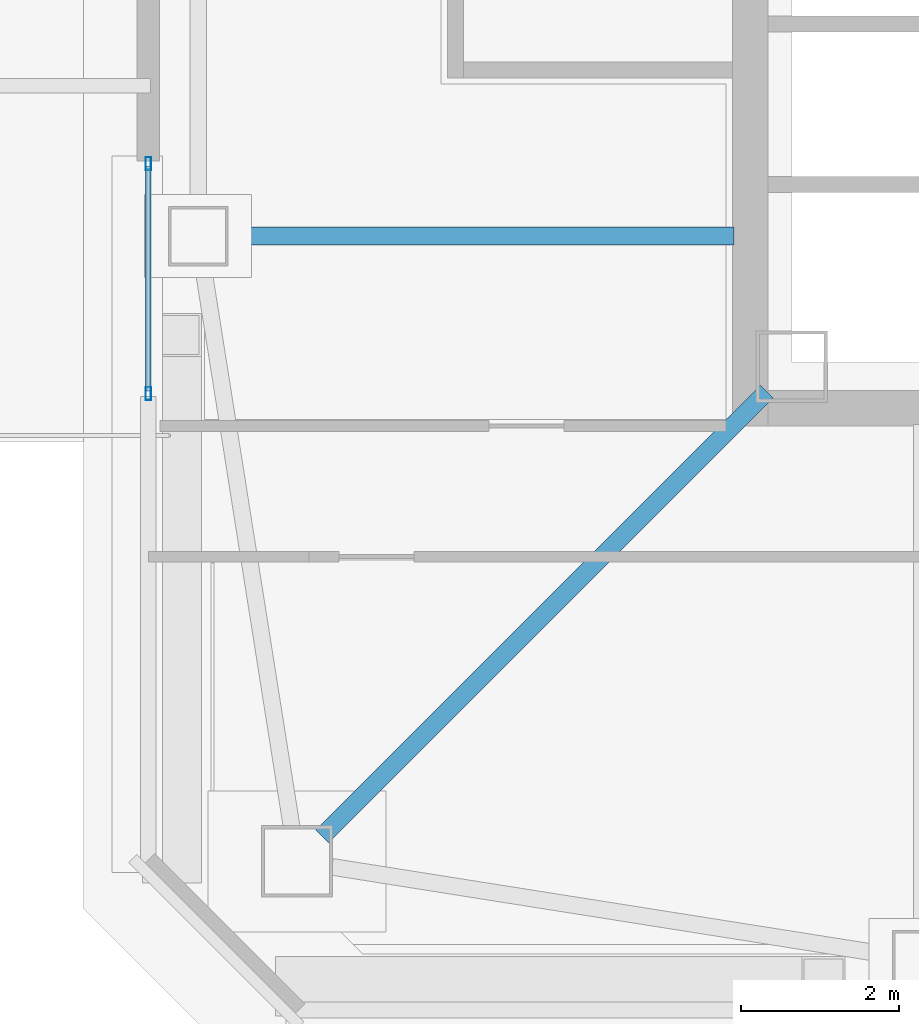
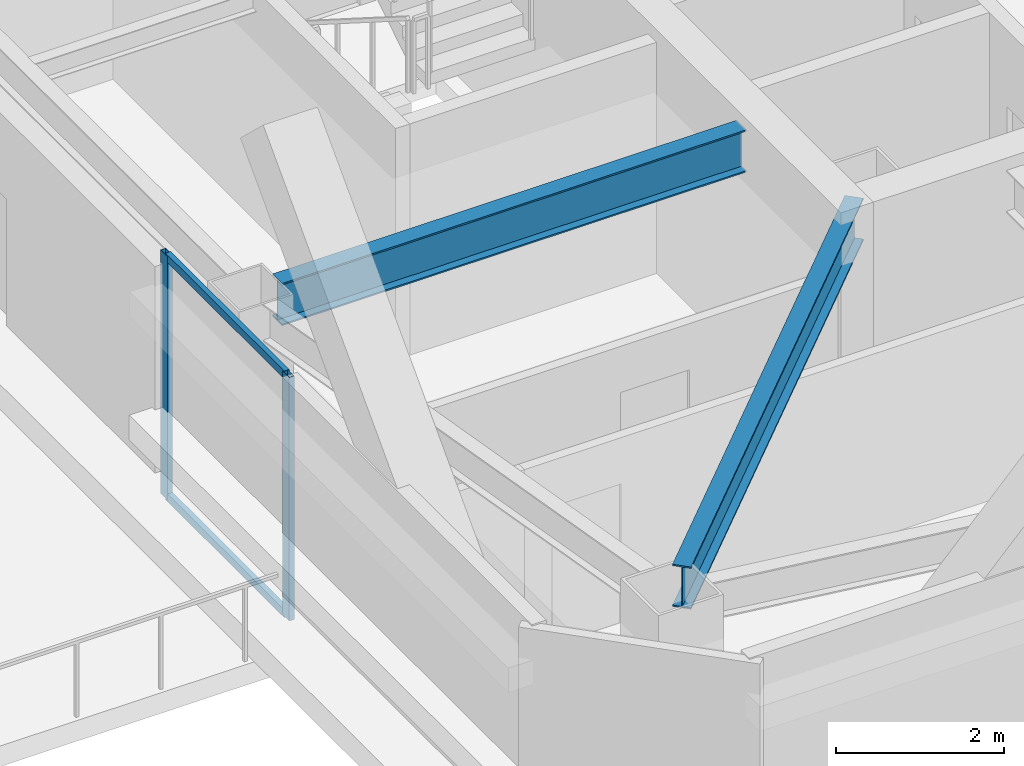
# One storey, part 4 of 37: 4 members, 2 beams, 1 element without a shape of its own.
"""IFC4 building model written with IfcOpenShell, lengths in metres."""

from ifc_helpers import new_model, si_unit, direction, frame, origin, origin_2d, place, context, subcontext, project, spatial, hollow_rectangle, i_section, extrude, material, material_profile, profile_set, type_object, element, aggregate, save


model = new_model("IFC4")

# Units and contexts
model_context = context("Model", 3, precision=1e-05, world=origin(), true_north=direction((0.0, 1.0)))
body_context = subcontext(model_context, "Body", "Model", "MODEL_VIEW")
ifc_project = project(units=[si_unit("LENGTHUNIT", "METRE"), si_unit("AREAUNIT", "SQUARE_METRE"), si_unit("VOLUMEUNIT", "CUBIC_METRE"), si_unit("PLANEANGLEUNIT", "RADIAN"), si_unit("MASSUNIT", "GRAM", prefix="KILO")], contexts=[model_context])

# Site, building, storey
site_placement = place(None, origin())
site = spatial("IfcSite", under=ifc_project, at=site_placement, CompositionType="ELEMENT")
building_placement = place(site_placement, origin())
building = spatial("IfcBuilding", under=site, at=building_placement, Name="Tashvorn Skyway Center", CompositionType="ELEMENT")
storey_placement = place(building_placement, frame((0.0, 0.0, 263.39990234375)))
storey = spatial("IfcBuildingStorey", under=building, at=storey_placement, Name="L71", CompositionType="ELEMENT", Elevation=263.39990234375)

# Beams
ifc_material_1 = material(Name="Steel ASTM A992 Grade 50", Category="steel")
ifc_material_profile_1 = material_profile(ifc_material_1, i_section(OverallWidth=0.22998046875, OverallDepth=0.616943359375, WebThickness=0.01318359375, FlangeThickness=0.022216796875, at=origin_2d()), Name="W24X94")
ifc_profile_set_1 = profile_set([ifc_material_profile_1], Name="Steel ASTM A992 Grade 50")
beam_type = type_object("IfcBeamType", Name="BM-BEAM-W24X94", PredefinedType="BEAM", material=ifc_profile_set_1)
beam_1_placement = place(storey_placement, frame((29.0146484375, 19.0146484375, 3.0615234375), z_axis=(0.707106781187, 0.707106781187, 0.0), x_axis=(-0.707106781187, 0.707106781187, 0.0)))
element("IfcBeam", 1, at=beam_1_placement, inside=storey, type_object=beam_type, Name="Tower 1 L71 Primary Floor Girder MC-SW", PredefinedType="BEAM", context=body_context, shape_type="SweptSolid", body=[
    extrude(i_section(OverallWidth=0.22998046875, OverallDepth=0.616943359375, WebThickness=0.01318359375, FlangeThickness=0.022216796875, at=origin_2d()), origin(), (0.0, 0.0, 1.0), 7.94873046875),
])
beam_2_placement = place(storey_placement, frame((27.820068359375, 26.60009765625, 3.0615234375), z_axis=(1.0, 0.0, 0.0), x_axis=(0.0, 1.0, 0.0)))
element("IfcBeam", 2, at=beam_2_placement, inside=storey, type_object=beam_type, Name="Tower 1 L71 Primary Floor Girder FC-W2", PredefinedType="BEAM", context=body_context, shape_type="SweptSolid", body=[
    extrude(i_section(OverallWidth=0.22998046875, OverallDepth=0.616943359375, WebThickness=0.01318359375, FlangeThickness=0.022216796875, at=origin_2d()), origin(), (0.0, 0.0, 1.0), 6.39990234375),
])

# Curtain wall, members
ifc_material_2 = material(Name="Thermally broken bronze-anodized aluminium 6063-T6", Category="aluminium")
curtain_wall_type = type_object("IfcCurtainWallType", Name="CW-CW-Z5", PredefinedType="NOTDEFINED", material=ifc_material_2)
curtain_wall_placement = place(storey_placement, origin())
curtain_wall = element("IfcCurtainWall", 3, at=curtain_wall_placement, inside=storey, type_object=curtain_wall_type, Name="Tower 1 L71 West Curtain Wall L Glazing Group 1", PredefinedType="NOTDEFINED")
ifc_material_profile_2 = material_profile(ifc_material_2, hollow_rectangle(XDim=0.070068359375, YDim=0.1650390625, WallThickness=0.00390625, at=origin_2d()), Name="ALU-MULL-70x165")
ifc_profile_set_2 = profile_set([ifc_material_profile_2], Name="Thermally broken bronze-anodized aluminium 6063-T6")
member_type_1 = type_object("IfcMemberType", Name="CWM-CW-Z5", PredefinedType="MULLION", material=ifc_profile_set_2)
member_1_placement = place(storey_placement, frame((26.820068359375, 24.6083984375, 0.0), z_axis=(0.0, 0.0, 1.0), x_axis=(-1.0, 0.0, 0.0)))
member_1 = element("IfcMember", 4, at=member_1_placement, type_object=member_type_1, Name="CW-Z5 mullion 1", PredefinedType="MULLION", context=body_context, shape_type="SweptSolid", body=[
    extrude(hollow_rectangle(XDim=0.070068359375, YDim=0.1650390625, WallThickness=0.00390625, at=origin_2d()), origin(), (0.0, 0.0, 1.0), 3.550048828125),
])
member_2_placement = place(storey_placement, frame((26.820068359375, 27.514892578125, 0.0), z_axis=(0.0, 0.0, 1.0), x_axis=(-1.0, 0.0, 0.0)))
member_2 = element("IfcMember", 5, at=member_2_placement, type_object=member_type_1, Name="CW-Z5 mullion 2", PredefinedType="MULLION", context=body_context, shape_type="SweptSolid", body=[
    extrude(hollow_rectangle(XDim=0.070068359375, YDim=0.1650390625, WallThickness=0.00390625, at=origin_2d()), origin(), (0.0, 0.0, 1.0), 3.550048828125),
])
ifc_material_profile_3 = material_profile(ifc_material_2, hollow_rectangle(XDim=0.070068359375, YDim=0.114990234375, WallThickness=0.00390625, at=origin_2d()), Name="ALU-TRAN-70x115")
ifc_profile_set_3 = profile_set([ifc_material_profile_3], Name="Thermally broken bronze-anodized aluminium 6063-T6")
member_type_2 = type_object("IfcMemberType", Name="CWT-CW-Z5", PredefinedType="USERDEFINED", material=ifc_profile_set_3)
member_3_placement = place(storey_placement, frame((26.820068359375, 24.643310546875, 0.03515625), z_axis=(0.0, 1.0, 0.0), x_axis=(-1.0, 0.0, 0.0)))
member_3 = element("IfcMember", 6, at=member_3_placement, type_object=member_type_2, Name="CW-Z5 transom 1.1", ObjectType="TRANSOM", PredefinedType="USERDEFINED", context=body_context, shape_type="SweptSolid", body=[
    extrude(hollow_rectangle(XDim=0.070068359375, YDim=0.114990234375, WallThickness=0.00390625, at=origin_2d()), origin(), (0.0, 0.0, 1.0), 2.836669921875),
])
member_4_placement = place(storey_placement, frame((26.820068359375, 24.643310546875, 3.51513671875), z_axis=(0.0, 1.0, 0.0), x_axis=(-1.0, 0.0, 0.0)))
member_4 = element("IfcMember", 7, at=member_4_placement, type_object=member_type_2, Name="CW-Z5 transom 1.2", ObjectType="TRANSOM", PredefinedType="USERDEFINED", context=body_context, shape_type="SweptSolid", body=[
    extrude(hollow_rectangle(XDim=0.070068359375, YDim=0.114990234375, WallThickness=0.00390625, at=origin_2d()), origin(), (0.0, 0.0, 1.0), 2.836669921875),
])
aggregate(curtain_wall, [member_1, member_2, member_3, member_4])

save(model, "model.ifc")
